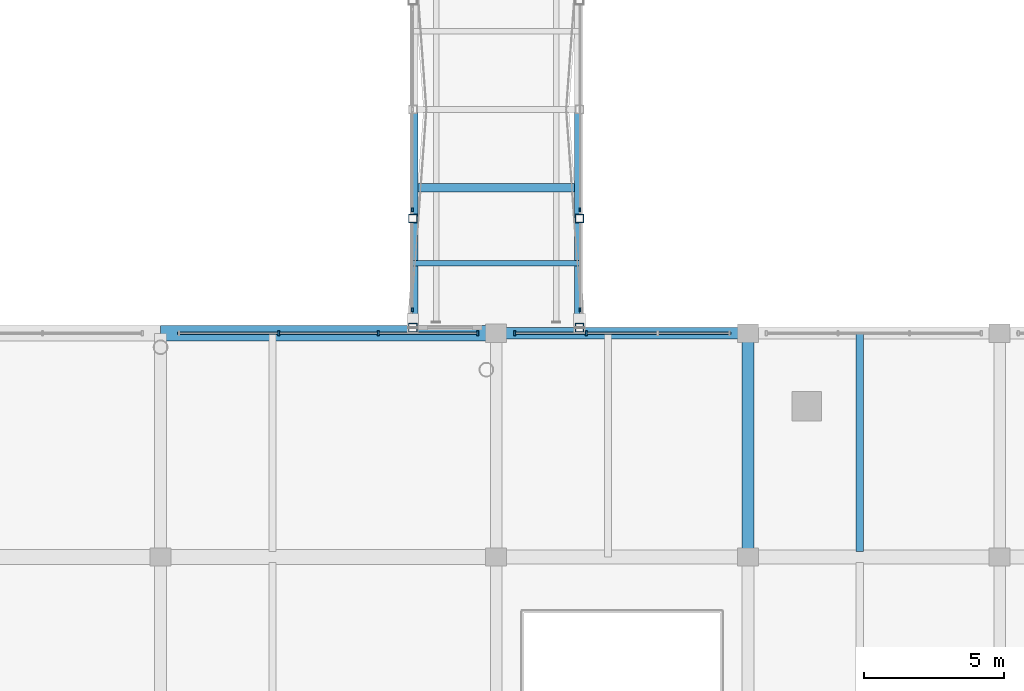
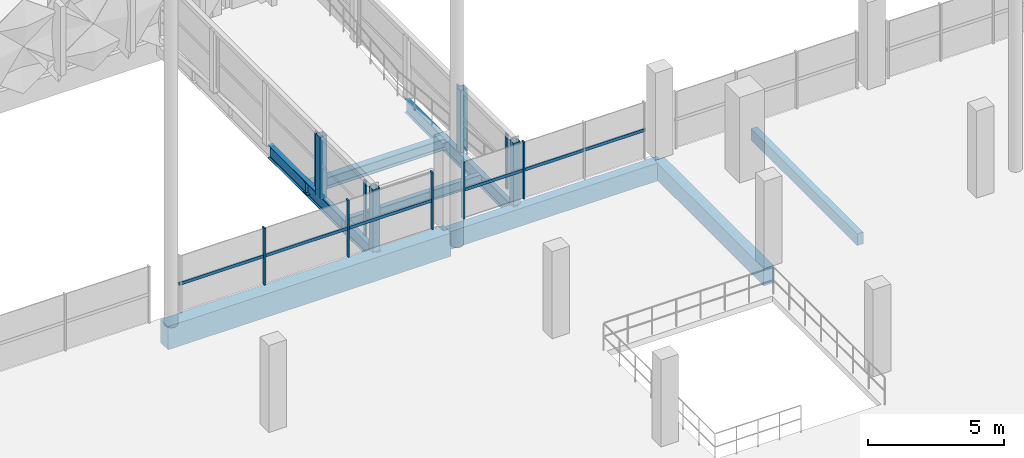
# One storey, part 36 of 123: 15 members, 8 beams, 4 elements without a shape of their own.
"""IFC4 building model written with IfcOpenShell, lengths in metres."""

from ifc_helpers import new_model, si_unit, derived_unit, direction, frame, origin, origin_2d, place, context, subcontext, project, spatial, rectangle, hollow_rectangle, i_section, extrude, material, layer, layer_set, material_profile, profile_set, type_object, element, aggregate, save


model = new_model("IFC4")

# Units and contexts
model_context = context("Model", 3, precision=1e-05, world=origin(), true_north=direction((0.0, 1.0)))
body_context = subcontext(model_context, "Body", "Model", "MODEL_VIEW")
ifc_project = project(units=[si_unit("LENGTHUNIT", "METRE"), si_unit("AREAUNIT", "SQUARE_METRE"), si_unit("VOLUMEUNIT", "CUBIC_METRE"), si_unit("PLANEANGLEUNIT", "RADIAN"), si_unit("MASSUNIT", "GRAM", prefix="KILO"), si_unit("THERMODYNAMICTEMPERATUREUNIT", "KELVIN"), derived_unit("THERMALTRANSMITTANCEUNIT", [(si_unit("POWERUNIT", "WATT"), 1), (si_unit("AREAUNIT", "SQUARE_METRE"), -1), (si_unit("THERMODYNAMICTEMPERATUREUNIT", "KELVIN"), -1)])], contexts=[model_context])

# Site, building, storey
site_placement = place(None, origin())
site = spatial("IfcSite", under=ifc_project, at=site_placement, CompositionType="ELEMENT")
building_placement = place(site_placement, origin())
building = spatial("IfcBuilding", under=site, at=building_placement, Name="Haiyu Intermodal Mobility Hub", CompositionType="ELEMENT")
storey_placement = place(building_placement, frame((0.0, 0.0, 5.60009765625)))
storey = spatial("IfcBuildingStorey", under=building, at=storey_placement, Name="L01", CompositionType="ELEMENT", Elevation=5.60009765625)

# Beams
ifc_material_1 = material(Name="Concrete C40", Category="concrete")
ifc_material_profile_1 = material_profile(ifc_material_1, rectangle(XDim=0.39990234375, YDim=0.800048828125, at=origin_2d()), Name="RCB400x800")
ifc_profile_set_1 = profile_set([ifc_material_profile_1], Name="Concrete C40")
beam_type_1 = type_object("IfcBeamType", Name="BM-CB05", PredefinedType="BEAM", material=ifc_profile_set_1)
beam_1_placement = place(storey_placement, frame((120.0, 88.0, -0.66015625), z_axis=(1.0, 0.0, 0.0), x_axis=(0.0, 1.0, 0.0)))
element("IfcBeam", 1, at=beam_1_placement, inside=storey, type_object=beam_type_1, Name="BM-V1G-L01-037", PredefinedType="BEAM", context=body_context, shape_type="SweptSolid", body=[
    extrude(rectangle(XDim=0.39990234375, YDim=0.800048828125, at=origin_2d()), origin(), (0.0, 0.0, 1.0), 9.0),
])
ifc_material_profile_2 = material_profile(ifc_material_1, rectangle(XDim=0.550048828125, YDim=1.050048828125, at=origin_2d()), Name="B550x1050")
ifc_profile_set_2 = profile_set([ifc_material_profile_2], Name="Concrete C40")
beam_type_2 = type_object("IfcBeamType", Name="BM-CB12-EXT", PredefinedType="BEAM", material=ifc_profile_set_2)
beam_2_placement = place(storey_placement, frame((108.0, 88.0, -0.78515625), z_axis=(1.0, 0.0, 0.0), x_axis=(0.0, 1.0, 0.0)))
element("IfcBeam", 2, at=beam_2_placement, inside=storey, type_object=beam_type_2, Name="BM-V1G-L01-036", PredefinedType="BEAM", context=body_context, shape_type="SweptSolid", body=[
    extrude(rectangle(XDim=0.550048828125, YDim=1.050048828125, at=origin_2d()), origin(), (0.0, 0.0, 1.0), 12.0),
])
ifc_material_profile_3 = material_profile(ifc_material_1, rectangle(XDim=0.419921875, YDim=0.780029296875, at=origin_2d()), Name="B420x780")
ifc_profile_set_3 = profile_set([ifc_material_profile_3], Name="Concrete C40")
beam_type_3 = type_object("IfcBeamType", Name="BM-CB14", PredefinedType="BEAM", material=ifc_profile_set_3)
beam_3_placement = place(storey_placement, frame((129.0, 80.0, -0.650146484375), z_axis=(0.0, 1.0, 0.0), x_axis=(-1.0, 0.0, 0.0)))
element("IfcBeam", 3, at=beam_3_placement, inside=storey, type_object=beam_type_3, Name="BM-V1T-L01-024", PredefinedType="BEAM", context=body_context, shape_type="SweptSolid", body=[
    extrude(rectangle(XDim=0.419921875, YDim=0.780029296875, at=origin_2d()), origin(), (0.0, 0.0, 1.0), 8.0),
])
ifc_material_profile_4 = material_profile(ifc_material_1, rectangle(XDim=0.260009765625, YDim=0.52001953125, at=origin_2d()), Name="B260x520")
ifc_profile_set_4 = profile_set([ifc_material_profile_4], Name="Concrete C40")
beam_type_4 = type_object("IfcBeamType", Name="BM-CB18", PredefinedType="JOIST", material=ifc_profile_set_4)
beam_4_placement = place(storey_placement, frame((133.0, 80.195068359375, -0.52001953125), z_axis=(0.0, 1.0, 0.0), x_axis=(-1.0, 0.0, 0.0)))
element("IfcBeam", 4, at=beam_4_placement, inside=storey, type_object=beam_type_4, Name="BM-V1J-L01-024", PredefinedType="JOIST", context=body_context, shape_type="SweptSolid", body=[
    extrude(rectangle(XDim=0.260009765625, YDim=0.52001953125, at=origin_2d()), origin(), (0.0, 0.0, 1.0), 7.804931640625),
])
ifc_material_2 = material(Name="Steel Q355C", Category="steel")
ifc_material_profile_5 = material_profile(ifc_material_2, i_section(OverallWidth=0.199951171875, OverallDepth=0.60009765625, WebThickness=0.010986328125, FlangeThickness=0.01708984375, FilletRadius=0.02197265625, at=origin_2d()), Name="HN600x200x11x17")
ifc_profile_set_5 = profile_set([ifc_material_profile_5], Name="Steel Q355C")
beam_type_5 = type_object("IfcBeamType", Name="BM-SB04-EXT", PredefinedType="BEAM", material=ifc_profile_set_5)
for number, where, z_axis, x_axis, name in (
    (5, (117.10009765625, 88.0, -0.56005859375), (0.0, 1.0, 0.0), (-1.0, 0.0, 0.0), "BM-BRG-L01-011"),
    (6, (122.89990234375, 88.0, -0.56005859375), (0.0, 1.0, 0.0), (-1.0, 0.0, 0.0), "BM-BRG-L01-013"),
):
    element("IfcBeam", number, at=place(storey_placement, frame(where, z_axis=z_axis, x_axis=x_axis)), inside=storey, type_object=beam_type_5, Name=name, PredefinedType="BEAM", context=body_context, shape_type="SweptSolid", body=[
        extrude(i_section(OverallWidth=0.199951171875, OverallDepth=0.60009765625, WebThickness=0.010986328125, FlangeThickness=0.01708984375, FilletRadius=0.02197265625, at=origin_2d()), origin(), (0.0, 0.0, 1.0), 8.0),
    ])
ifc_material_profile_6 = material_profile(ifc_material_2, i_section(OverallWidth=0.199951171875, OverallDepth=0.449951171875, WebThickness=0.009033203125, FlangeThickness=0.013916015625, FilletRadius=0.01806640625, at=origin_2d()), Name="HN450x200x9x14")
ifc_profile_set_6 = profile_set([ifc_material_profile_6], Name="Steel Q355C")
beam_type_6 = type_object("IfcBeamType", Name="BM-SB07-EXT", PredefinedType="JOIST", material=ifc_profile_set_6)
beam_5_placement = place(storey_placement, frame((116.97998046875, 90.5, -0.485107421875), z_axis=(1.0, 0.0, 0.0), x_axis=(0.0, 1.0, 0.0)))
element("IfcBeam", 7, at=beam_5_placement, inside=storey, type_object=beam_type_6, Name="BM-BRGJ-L01-015", PredefinedType="JOIST", context=body_context, shape_type="SweptSolid", body=[
    extrude(i_section(OverallWidth=0.199951171875, OverallDepth=0.449951171875, WebThickness=0.009033203125, FlangeThickness=0.013916015625, FilletRadius=0.01806640625, at=origin_2d()), origin(), (0.0, 0.0, 1.0), 6.0400390625),
])
ifc_material_profile_7 = material_profile(ifc_material_2, i_section(OverallWidth=0.300048828125, OverallDepth=0.5, WebThickness=0.010986328125, FlangeThickness=0.01806640625, FilletRadius=0.02001953125, at=origin_2d()), Name="HM500x300x11x18")
ifc_profile_set_7 = profile_set([ifc_material_profile_7], Name="Steel Q355C")
beam_type_7 = type_object("IfcBeamType", Name="BM-SB12", PredefinedType="BEAM", material=ifc_profile_set_7)
beam_6_placement = place(storey_placement, frame((116.97998046875, 93.199951171875, -0.510009765625), z_axis=(1.0, 0.0, 0.0), x_axis=(0.0, 1.0, 0.0)))
element("IfcBeam", 8, at=beam_6_placement, inside=storey, type_object=beam_type_7, Name="BM-BRGJ-L01-016", PredefinedType="BEAM", context=body_context, shape_type="SweptSolid", body=[
    extrude(i_section(OverallWidth=0.300048828125, OverallDepth=0.5, WebThickness=0.010986328125, FlangeThickness=0.01806640625, FilletRadius=0.02001953125, at=origin_2d()), origin(), (0.0, 0.0, 1.0), 6.0400390625),
])

# Curtain wall, members
ifc_material_3 = material(Name="Low-e laminated insulating glass", Category="glass")
ifc_layer_1 = layer(ifc_material_3, 0.25)
ifc_layer_set_1 = layer_set([ifc_layer_1], Name="Low-e laminated insulating glass")
curtain_wall_type_1 = type_object("IfcCurtainWallType", Name="CW-CW02", PredefinedType="NOTDEFINED", material=ifc_layer_set_1)
curtain_wall_1_placement = place(storey_placement, origin())
curtain_wall_1 = element("IfcCurtainWall", 9, at=curtain_wall_1_placement, inside=storey, type_object=curtain_wall_type_1, Name="Curtain Wall CW-V1N-L01-028", PredefinedType="NOTDEFINED")
ifc_material_4 = material(Name="Anodised aluminium 6063-T6", Category="aluminium")
ifc_material_profile_8 = material_profile(ifc_material_4, rectangle(XDim=0.06494140625, YDim=0.1650390625, at=origin_2d()), Name="ALU65x165")
ifc_profile_set_8 = profile_set([ifc_material_profile_8], Name="Anodised aluminium 6063-T6")
member_type_1 = type_object("IfcMemberType", Name="CWM-ML02", PredefinedType="MULLION", material=ifc_profile_set_8)
member_1_placement = place(storey_placement, frame((119.340087890625, 88.0, 0.0), z_axis=(0.0, 0.0, 1.0), x_axis=(1.0, 0.0, 0.0)))
member_1 = element("IfcMember", 10, at=member_1_placement, type_object=member_type_1, Name="CW-V1N-L01-028-ML01", PredefinedType="MULLION", context=body_context, shape_type="SweptSolid", body=[
    extrude(rectangle(XDim=0.06494140625, YDim=0.1650390625, at=origin_2d()), origin(), (0.0, 0.0, 1.0), 2.5498046875),
])
member_2_placement = place(storey_placement, frame((115.780029296875, 88.0, 0.0), z_axis=(0.0, 0.0, 1.0), x_axis=(1.0, 0.0, 0.0)))
member_2 = element("IfcMember", 11, at=member_2_placement, type_object=member_type_1, Name="CW-V1N-L01-028-ML02", PredefinedType="MULLION", context=body_context, shape_type="SweptSolid", body=[
    extrude(rectangle(XDim=0.06494140625, YDim=0.1650390625, at=origin_2d()), origin(), (0.0, 0.0, 1.0), 2.5498046875),
])
member_3_placement = place(storey_placement, frame((112.219970703125, 88.0, 0.0), z_axis=(0.0, 0.0, 1.0), x_axis=(1.0, 0.0, 0.0)))
member_3 = element("IfcMember", 12, at=member_3_placement, type_object=member_type_1, Name="CW-V1N-L01-028-ML03", PredefinedType="MULLION", context=body_context, shape_type="SweptSolid", body=[
    extrude(rectangle(XDim=0.06494140625, YDim=0.1650390625, at=origin_2d()), origin(), (0.0, 0.0, 1.0), 2.5498046875),
])

curtain_wall_2_placement = place(storey_placement, origin())
curtain_wall_2 = element("IfcCurtainWall", 13, at=curtain_wall_2_placement, inside=storey, type_object=curtain_wall_type_1, Name="Curtain Wall CW-V1N-L01-029", PredefinedType="NOTDEFINED")
member_4_placement = place(storey_placement, frame((123.219970703125, 88.0, 0.0), z_axis=(0.0, 0.0, 1.0), x_axis=(1.0, 0.0, 0.0)))
member_4 = element("IfcMember", 14, at=member_4_placement, type_object=member_type_1, Name="CW-V1N-L01-029-ML03", PredefinedType="MULLION", context=body_context, shape_type="SweptSolid", body=[
    extrude(rectangle(XDim=0.06494140625, YDim=0.1650390625, at=origin_2d()), origin(), (0.0, 0.0, 1.0), 2.5498046875),
])
member_5_placement = place(storey_placement, frame((120.659912109375, 88.0, 0.0), z_axis=(0.0, 0.0, 1.0), x_axis=(1.0, 0.0, 0.0)))
member_5 = element("IfcMember", 15, at=member_5_placement, type_object=member_type_1, Name="CW-V1N-L01-029-ML04", PredefinedType="MULLION", context=body_context, shape_type="SweptSolid", body=[
    extrude(rectangle(XDim=0.06494140625, YDim=0.1650390625, at=origin_2d()), origin(), (0.0, 0.0, 1.0), 2.5498046875),
])

ifc_layer_2 = layer(ifc_material_3, 0.2099609375)
ifc_layer_set_2 = layer_set([ifc_layer_2], Name="Low-e laminated insulating glass")
curtain_wall_type_2 = type_object("IfcCurtainWallType", Name="CW-CW04", PredefinedType="NOTDEFINED", material=ifc_layer_set_2)
curtain_wall_3_placement = place(storey_placement, origin())
curtain_wall_3 = element("IfcCurtainWall", 16, at=curtain_wall_3_placement, inside=storey, type_object=curtain_wall_type_2, Name="Curtain Wall CW-BRG-BEW-L01-082", PredefinedType="NOTDEFINED")
ifc_material_profile_9 = material_profile(ifc_material_4, rectangle(XDim=0.06005859375, YDim=0.14501953125, at=origin_2d()), Name="ALU60x145")
ifc_profile_set_9 = profile_set([ifc_material_profile_9], Name="Anodised aluminium 6063-T6")
member_type_2 = type_object("IfcMemberType", Name="CWM-ML03", PredefinedType="MULLION", material=ifc_profile_set_9)
member_6_placement = place(storey_placement, frame((117.0, 88.840087890625, 0.0), z_axis=(0.0, 0.0, 1.0), x_axis=(1.0, 0.0, 0.0)))
member_6 = element("IfcMember", 17, at=member_6_placement, type_object=member_type_2, Name="CW-BRG-BEW-L01-082-ML01", PredefinedType="MULLION", context=body_context, shape_type="SweptSolid", body=[
    extrude(rectangle(XDim=0.06005859375, YDim=0.14501953125, at=origin_2d()), origin(), (0.0, 0.0, 1.0), 2.47998046875),
])
member_7_placement = place(storey_placement, frame((117.0, 92.419921875, 0.0), z_axis=(0.0, 0.0, 1.0), x_axis=(1.0, 0.0, 0.0)))
member_7 = element("IfcMember", 18, at=member_7_placement, type_object=member_type_2, Name="CW-BRG-BEW-L01-082-ML02", PredefinedType="MULLION", context=body_context, shape_type="SweptSolid", body=[
    extrude(rectangle(XDim=0.06005859375, YDim=0.14501953125, at=origin_2d()), origin(), (0.0, 0.0, 1.0), 2.47998046875),
])
aggregate(curtain_wall_3, [member_6, member_7])

curtain_wall_4_placement = place(storey_placement, origin())
curtain_wall_4 = element("IfcCurtainWall", 19, at=curtain_wall_4_placement, inside=storey, type_object=curtain_wall_type_2, Name="Curtain Wall CW-BRG-BEE-L01-083", PredefinedType="NOTDEFINED")
member_8_placement = place(storey_placement, frame((123.0, 88.840087890625, 0.0), z_axis=(0.0, 0.0, 1.0), x_axis=(1.0, 0.0, 0.0)))
member_8 = element("IfcMember", 20, at=member_8_placement, type_object=member_type_2, Name="CW-BRG-BEE-L01-083-ML01", PredefinedType="MULLION", context=body_context, shape_type="SweptSolid", body=[
    extrude(rectangle(XDim=0.06005859375, YDim=0.14501953125, at=origin_2d()), origin(), (0.0, 0.0, 1.0), 2.47998046875),
])
member_9_placement = place(storey_placement, frame((123.0, 92.419921875, 0.0), z_axis=(0.0, 0.0, 1.0), x_axis=(1.0, 0.0, 0.0)))
member_9 = element("IfcMember", 21, at=member_9_placement, type_object=member_type_2, Name="CW-BRG-BEE-L01-083-ML02", PredefinedType="MULLION", context=body_context, shape_type="SweptSolid", body=[
    extrude(rectangle(XDim=0.06005859375, YDim=0.14501953125, at=origin_2d()), origin(), (0.0, 0.0, 1.0), 2.47998046875),
])
aggregate(curtain_wall_4, [member_8, member_9])

# Member
ifc_material_profile_10 = material_profile(ifc_material_4, rectangle(XDim=0.06494140625, YDim=0.135009765625, at=origin_2d()), Name="ALU65x135")
ifc_profile_set_10 = profile_set([ifc_material_profile_10], Name="Anodised aluminium 6063-T6")
member_type_3 = type_object("IfcMemberType", Name="CWM-TR02", PredefinedType="USERDEFINED", material=ifc_profile_set_10)
member_10_placement = place(storey_placement, frame((119.3798828125, 88.0, 1.27490234375), z_axis=(-1.0, 0.0, 0.0), x_axis=(0.0, -1.0, 0.0)))
member_10 = element("IfcMember", 22, at=member_10_placement, type_object=member_type_3, Name="CW-V1N-L01-028-TR01", ObjectType="TRANSOM", PredefinedType="USERDEFINED", context=body_context, shape_type="SweptSolid", body=[
    extrude(rectangle(XDim=0.06494140625, YDim=0.135009765625, at=origin_2d()), origin(), (0.0, 0.0, 1.0), 10.759765625),
])

aggregate(curtain_wall_1, [member_1, member_2, member_3, member_10])

member_11_placement = place(storey_placement, frame((128.3798828125, 88.0, 1.27490234375), z_axis=(-1.0, 0.0, 0.0), x_axis=(0.0, -1.0, 0.0)))
member_11 = element("IfcMember", 23, at=member_11_placement, type_object=member_type_3, Name="CW-V1N-L01-029-TR01", ObjectType="TRANSOM", PredefinedType="USERDEFINED", context=body_context, shape_type="SweptSolid", body=[
    extrude(rectangle(XDim=0.06494140625, YDim=0.135009765625, at=origin_2d()), origin(), (0.0, 0.0, 1.0), 7.759765625),
])

aggregate(curtain_wall_2, [member_4, member_5, member_11])

# Members
ifc_material_profile_11 = material_profile(ifc_material_2, hollow_rectangle(XDim=0.300048828125, YDim=0.300048828125, WallThickness=0.011962890625, at=origin_2d()), Name="SHS300x300x12")
ifc_profile_set_11 = profile_set([ifc_material_profile_11], Name="Steel Q355C")
member_type_4 = type_object("IfcMemberType", Name="MEM-BR04", PredefinedType="BRACE", material=ifc_profile_set_11)
for number, where, z_axis, x_axis, name in (
    (24, (117.02001953125, 88.199951171875, -0.239990234375), (0.0, 0.0, 1.0), (1.0, 0.0, 0.0), "Bridge Vierendeel Frame Post BEW-1"),
    (25, (117.02001953125, 92.10009765625, -0.239990234375), (0.0, 0.0, 1.0), (1.0, 0.0, 0.0), "Bridge Vierendeel Frame Post BEW-2"),
    (26, (122.97998046875, 88.199951171875, -0.239990234375), (0.0, 0.0, 1.0), (1.0, 0.0, 0.0), "Bridge Vierendeel Frame Post BEE-1"),
    (27, (122.97998046875, 92.10009765625, -0.239990234375), (0.0, 0.0, 1.0), (1.0, 0.0, 0.0), "Bridge Vierendeel Frame Post BEE-2"),
):
    element("IfcMember", number, at=place(storey_placement, frame(where, z_axis=z_axis, x_axis=x_axis)), inside=storey, type_object=member_type_4, Name=name, PredefinedType="BRACE", context=body_context, shape_type="SweptSolid", body=[
        extrude(hollow_rectangle(XDim=0.300048828125, YDim=0.300048828125, WallThickness=0.011962890625, at=origin_2d()), origin(), (0.0, 0.0, 1.0), 2.789794921875),
    ])

save(model, "model.ifc")
